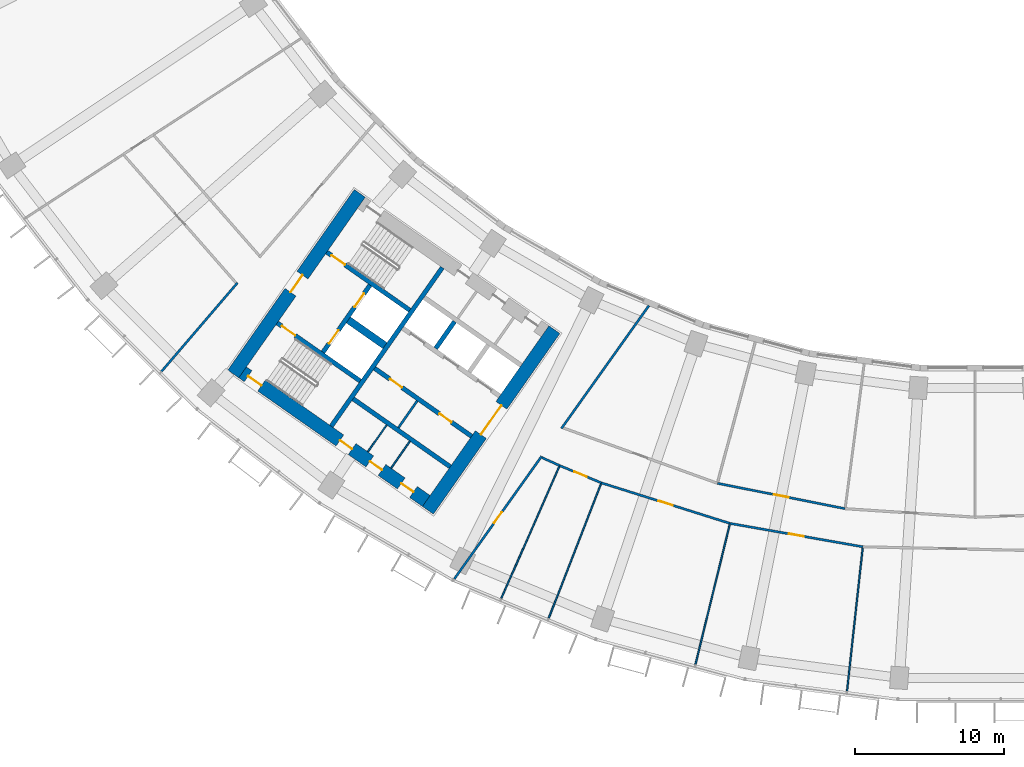
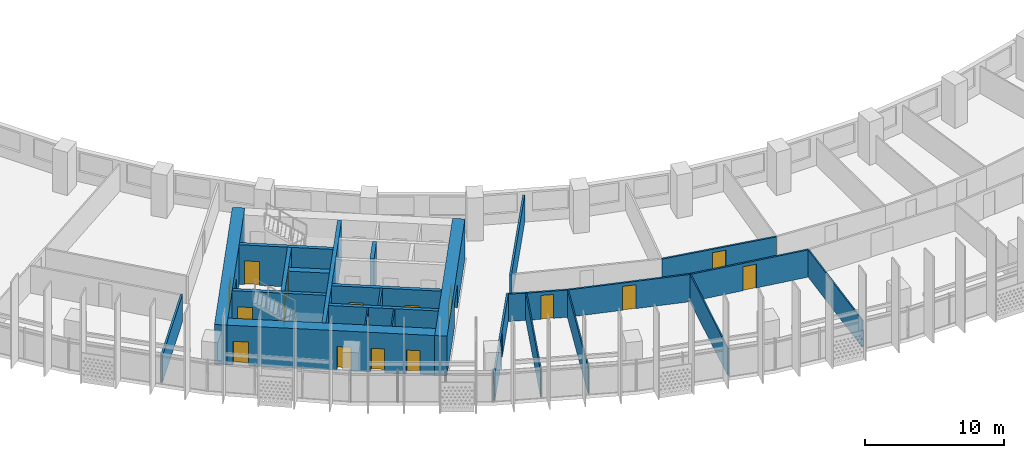
# One storey, part 3 of 30: 26 walls, 17 doors, 17 openings.
"""IFC4 building model written with IfcOpenShell, lengths in metres."""

from ifc_helpers import new_model, si_unit, direction, frame, frame_2d, origin, place, context, subcontext, project, spatial, rectangle, extrude, material, layer, layer_set, type_object, element, fill, save


model = new_model("IFC4")

# Units and contexts
model_context = context("Model", 3, precision=1e-05, world=origin(), true_north=direction((0.0, 1.0)))
body_context = subcontext(model_context, "Body", "Model", "MODEL_VIEW")
ifc_project = project(units=[si_unit("LENGTHUNIT", "METRE"), si_unit("AREAUNIT", "SQUARE_METRE"), si_unit("VOLUMEUNIT", "CUBIC_METRE"), si_unit("PLANEANGLEUNIT", "RADIAN"), si_unit("MASSUNIT", "GRAM", prefix="KILO")], contexts=[model_context])

# Site, building, storey
site_placement = place(None, origin())
site = spatial("IfcSite", under=ifc_project, at=site_placement, CompositionType="ELEMENT")
building_placement = place(site_placement, origin())
building = spatial("IfcBuilding", under=site, at=building_placement, Name="Qamariyya Broadcast Tower", CompositionType="ELEMENT")
storey_placement = place(building_placement, frame((0.0, 0.0, 117.699951171875)))
storey = spatial("IfcBuildingStorey", under=building, at=storey_placement, Name="L26", CompositionType="ELEMENT", Elevation=117.699951171875)

# Wall, opening, door
ifc_material_1 = material(Name="Concrete C70/85", Category="concrete")
ifc_layer_1 = layer(ifc_material_1, 0.89990234375)
ifc_layer_set_1 = layer_set([ifc_layer_1], Name="Core wall 900 mm Concrete C70/85")
wall_type_1 = type_object("IfcWallType", Name="Core wall 900 mm Concrete C70/85", PredefinedType="SHEAR", material=ifc_layer_set_1)
wall_1_placement = place(storey_placement, frame((-36.716796875, -66.3369140625, 0.0), z_axis=(0.0, 0.0, 1.0), x_axis=(0.573577477574, 0.819151315216, 0.0)))
wall_1 = element("IfcWall", 1, at=wall_1_placement, inside=storey, type_object=wall_type_1, Name="k-W-L26-WA", PredefinedType="SHEAR", context=body_context, shape_type="SweptSolid", body=[
    extrude(rectangle(XDim=14.800048828125, YDim=0.89990234375, at=frame_2d((7.39990234375, 0.0))), origin(), (0.0, 0.0, 1.0), 3.5),
])
opening_1_placement = place(wall_1_placement, frame((6.199951171875, 0.0, 0.0)))
opening_1 = element("IfcOpeningElement", 2, at=opening_1_placement, cuts=wall_1, Name="Opening KD3-W1", PredefinedType="OPENING", context=body_context, shape_type="SweptSolid", body=[
    extrude(rectangle(XDim=2.39990234375, YDim=2.10009765625, at=frame_2d((1.199951171875, 1.050048828125))), frame((0.0, 0.4599609375, 0.0), z_axis=(0.0, -1.0, 0.0), x_axis=(1.0, 0.0, 0.0)), (0.0, 0.0, 1.0), 0.919921875),
])
ifc_material_2 = material(Name="Steel fire-resisting door leaf", Category="steel")
door_type_1 = type_object("IfcDoorType", Name="Lift lobby door KD3", OperationType="DOUBLE_DOOR_SINGLE_SWING", PredefinedType="DOOR", material=ifc_material_2)
door_1_placement = place(opening_1_placement, origin())
door_1 = element("IfcDoor", 3, at=door_1_placement, inside=storey, type_object=door_type_1, Name="k-W-L26-WA-D1", OperationType="DOUBLE_DOOR_SINGLE_SWING", OverallHeight=2.10009765625, OverallWidth=2.39990234375, PredefinedType="DOOR", context=body_context, shape_type="SweptSolid", body=[
    extrude(rectangle(XDim=2.39990234375, YDim=2.10009765625, at=frame_2d((1.199951171875, 1.050048828125))), frame((0.0, 0.02490234375, 0.0), z_axis=(0.0, -1.0, 0.0), x_axis=(1.0, 0.0, 0.0)), (0.0, 0.0, 1.0), 0.050048828125),
])
fill(opening_1, door_1)

wall_2_placement = place(storey_placement, frame((-49.778564453125, -57.191162109375, 0.0), z_axis=(0.0, 0.0, 1.0), x_axis=(0.573577477574, 0.819151315216, 0.0)))
wall_2 = element("IfcWall", 4, at=wall_2_placement, inside=storey, type_object=wall_type_1, Name="k-W-L26-WH", PredefinedType="SHEAR", context=body_context, shape_type="SweptSolid", body=[
    extrude(rectangle(XDim=14.800048828125, YDim=0.89990234375, at=frame_2d((7.39990234375, 0.0))), origin(), (0.0, 0.0, 1.0), 3.5),
])
opening_2_placement = place(wall_2_placement, frame((6.699951171875, 0.0, 0.0)))
opening_2 = element("IfcOpeningElement", 5, at=opening_2_placement, cuts=wall_2, Name="Opening KD2-W1", PredefinedType="OPENING", context=body_context, shape_type="SweptSolid", body=[
    extrude(rectangle(XDim=1.39990234375, YDim=2.10009765625, at=frame_2d((0.699951171875, 1.050048828125))), frame((0.0, 0.4599609375, 0.0), z_axis=(0.0, -1.0, 0.0), x_axis=(1.0, 0.0, 0.0)), (0.0, 0.0, 1.0), 0.919921875),
])
door_type_2 = type_object("IfcDoorType", Name="Fire-fighting lobby door KD2", OperationType="DOUBLE_DOOR_SINGLE_SWING", PredefinedType="DOOR", material=ifc_material_2)
door_2_placement = place(opening_2_placement, origin())
door_2 = element("IfcDoor", 6, at=door_2_placement, inside=storey, type_object=door_type_2, Name="k-W-L26-WH-D15", OperationType="DOUBLE_DOOR_SINGLE_SWING", OverallHeight=2.10009765625, OverallWidth=1.39990234375, PredefinedType="DOOR", context=body_context, shape_type="SweptSolid", body=[
    extrude(rectangle(XDim=1.39990234375, YDim=2.10009765625, at=frame_2d((0.699951171875, 1.050048828125))), frame((0.0, 0.02490234375, 0.0), z_axis=(0.0, -1.0, 0.0), x_axis=(1.0, 0.0, 0.0)), (0.0, 0.0, 1.0), 0.050048828125),
])
fill(opening_2, door_2)

# Wall, openings, doors
wall_3_placement = place(storey_placement, frame((-36.827392578125, -65.710205078125, 0.0), z_axis=(0.0, 0.0, 1.0), x_axis=(-0.819153391756, 0.573574511963, 0.0)))
wall_3 = element("IfcWall", 7, at=wall_3_placement, inside=storey, type_object=wall_type_1, Name="k-W-L26-WO", PredefinedType="SHEAR", context=body_context, shape_type="SweptSolid", body=[
    extrude(rectangle(XDim=15.04541015625, YDim=0.89990234375, at=frame_2d((7.522705078125, 0.0))), origin(), (0.0, 0.0, 1.0), 3.5),
])
opening_3_placement = place(wall_3_placement, frame((1.050048828125, 0.0, 0.0)))
opening_3 = element("IfcOpeningElement", 8, at=opening_3_placement, cuts=wall_3, Name="Opening KD4-W2", PredefinedType="OPENING", context=body_context, shape_type="SweptSolid", body=[
    extrude(rectangle(XDim=1.0, YDim=2.10009765625, at=frame_2d((0.5, 1.050048828125))), frame((0.0, 0.4599609375, 0.0), z_axis=(0.0, -1.0, 0.0), x_axis=(1.0, 0.0, 0.0)), (0.0, 0.0, 1.0), 0.919921875),
])
opening_4_placement = place(wall_3_placement, frame((3.625, 0.0, 0.0)))
opening_4 = element("IfcOpeningElement", 9, at=opening_4_placement, cuts=wall_3, Name="Opening KD4-W3", PredefinedType="OPENING", context=body_context, shape_type="SweptSolid", body=[
    extrude(rectangle(XDim=1.0, YDim=2.10009765625, at=frame_2d((0.5, 1.050048828125))), frame((0.0, 0.4599609375, 0.0), z_axis=(0.0, -1.0, 0.0), x_axis=(1.0, 0.0, 0.0)), (0.0, 0.0, 1.0), 0.919921875),
])
opening_5_placement = place(wall_3_placement, frame((6.074951171875, 0.0, 0.0)))
opening_5 = element("IfcOpeningElement", 10, at=opening_5_placement, cuts=wall_3, Name="Opening KD6-W3", PredefinedType="OPENING", context=body_context, shape_type="SweptSolid", body=[
    extrude(rectangle(XDim=1.0, YDim=2.10009765625, at=frame_2d((0.5, 1.050048828125))), frame((0.0, 0.4599609375, 0.0), z_axis=(0.0, -1.0, 0.0), x_axis=(1.0, 0.0, 0.0)), (0.0, 0.0, 1.0), 0.919921875),
])
opening_6_placement = place(wall_3_placement, frame((13.495361328125, 0.0, 0.0)))
opening_6 = element("IfcOpeningElement", 11, at=opening_6_placement, cuts=wall_3, Name="Opening KD1-W3", PredefinedType="OPENING", context=body_context, shape_type="SweptSolid", body=[
    extrude(rectangle(XDim=1.10009765625, YDim=2.10009765625, at=frame_2d((0.550048828125, 1.050048828125))), frame((0.0, 0.4599609375, 0.0), z_axis=(0.0, -1.0, 0.0), x_axis=(1.0, 0.0, 0.0)), (0.0, 0.0, 1.0), 0.919921875),
])
door_type_3 = type_object("IfcDoorType", Name="Core room door KD6", OperationType="SINGLE_SWING_LEFT", PredefinedType="DOOR", material=ifc_material_2)
door_3_placement = place(opening_5_placement, origin())
door_3 = element("IfcDoor", 12, at=door_3_placement, inside=storey, type_object=door_type_3, Name="k-W-L26-WO-D12", OperationType="SINGLE_SWING_LEFT", OverallHeight=2.10009765625, OverallWidth=1.0, PredefinedType="DOOR", context=body_context, shape_type="SweptSolid", body=[
    extrude(rectangle(XDim=1.0, YDim=2.10009765625, at=frame_2d((0.5, 1.050048828125))), frame((0.0, 0.02490234375, 0.0), z_axis=(0.0, -1.0, 0.0), x_axis=(1.0, 0.0, 0.0)), (0.0, 0.0, 1.0), 0.050048828125),
])
fill(opening_5, door_3)
door_type_4 = type_object("IfcDoorType", Name="Riser and plant door KD4", OperationType="SINGLE_SWING_LEFT", PredefinedType="DOOR", material=ifc_material_2)
door_4_placement = place(opening_3_placement, origin())
door_4 = element("IfcDoor", 13, at=door_4_placement, inside=storey, type_object=door_type_4, Name="k-W-L26-WO-D10", OperationType="SINGLE_SWING_LEFT", OverallHeight=2.10009765625, OverallWidth=1.0, PredefinedType="DOOR", context=body_context, shape_type="SweptSolid", body=[
    extrude(rectangle(XDim=1.0, YDim=2.10009765625, at=frame_2d((0.5, 1.050048828125))), frame((0.0, 0.02490234375, 0.0), z_axis=(0.0, -1.0, 0.0), x_axis=(1.0, 0.0, 0.0)), (0.0, 0.0, 1.0), 0.050048828125),
])
fill(opening_3, door_4)
door_5_placement = place(opening_4_placement, origin())
door_5 = element("IfcDoor", 14, at=door_5_placement, inside=storey, type_object=door_type_4, Name="k-W-L26-WO-D11", OperationType="SINGLE_SWING_RIGHT", OverallHeight=2.10009765625, OverallWidth=1.0, PredefinedType="DOOR", context=body_context, shape_type="SweptSolid", body=[
    extrude(rectangle(XDim=1.0, YDim=2.10009765625, at=frame_2d((0.5, 1.050048828125))), frame((0.0, 0.02490234375, 0.0), z_axis=(0.0, -1.0, 0.0), x_axis=(1.0, 0.0, 0.0)), (0.0, 0.0, 1.0), 0.050048828125),
])
fill(opening_4, door_5)
door_type_5 = type_object("IfcDoorType", Name="Stair door KD1", OperationType="SINGLE_SWING_LEFT", PredefinedType="DOOR", material=ifc_material_2)
door_6_placement = place(opening_6_placement, origin())
door_6 = element("IfcDoor", 15, at=door_6_placement, inside=storey, type_object=door_type_5, Name="k-W-L26-WO-D18", OperationType="SINGLE_SWING_LEFT", OverallHeight=2.10009765625, OverallWidth=1.10009765625, PredefinedType="DOOR", context=body_context, shape_type="SweptSolid", body=[
    extrude(rectangle(XDim=1.10009765625, YDim=2.10009765625, at=frame_2d((0.550048828125, 1.050048828125))), frame((0.0, 0.02490234375, 0.0), z_axis=(0.0, -1.0, 0.0), x_axis=(1.0, 0.0, 0.0)), (0.0, 0.0, 1.0), 0.050048828125),
])
fill(opening_6, door_6)

# Wall
ifc_material_3 = material(Name="Gypsum board partition")
ifc_layer_2 = layer(ifc_material_3, 0.14990234375)
ifc_layer_set_2 = layer_set([ifc_layer_2], Name="Corridor partition 150 EI 60")
wall_type_2 = type_object("IfcWallType", Name="Corridor partition 150 EI 60", PredefinedType="PARTITIONING", material=ifc_layer_set_2)
wall_4_placement = place(storey_placement, frame((-49.498779296875, -51.074951171875, 0.0), z_axis=(0.0, 0.0, 1.0), x_axis=(-0.65099144956, -0.759085062823, 0.0)))
element("IfcWall", 16, at=wall_4_placement, inside=storey, type_object=wall_type_2, Name="Partition L26-005", PredefinedType="PARTITIONING", context=body_context, shape_type="SweptSolid", body=[
    extrude(rectangle(XDim=7.83740234375, YDim=0.14990234375, at=frame_2d((3.918701171875, 0.0))), origin(), (0.0, 0.0, 1.0), 2.400146484375),
])

# Wall, opening, door
wall_5_placement = place(storey_placement, frame((-29.083984375, -62.710205078125, 0.0), z_axis=(0.0, 0.0, 1.0), x_axis=(-0.580031092611, -0.814594335608, 0.0)))
wall_5 = element("IfcWall", 17, at=wall_5_placement, inside=storey, type_object=wall_type_2, Name="Partition L26-009", PredefinedType="PARTITIONING", context=body_context, shape_type="SweptSolid", body=[
    extrude(rectangle(XDim=10.126220703125, YDim=0.14990234375, at=frame_2d((5.06298828125, 0.0))), origin(), (0.0, 0.0, 1.0), 2.400146484375),
])
opening_7_placement = place(wall_5_placement, frame((4.61328125, 0.0, 0.0)))
opening_7 = element("IfcOpeningElement", 18, at=opening_7_placement, cuts=wall_5, Name="Opening L26-D01", PredefinedType="OPENING", context=body_context, shape_type="SweptSolid", body=[
    extrude(rectangle(XDim=0.89990234375, YDim=2.10009765625, at=frame_2d((0.449951171875, 1.050048828125))), frame((0.0, 0.0849609375, 0.0), z_axis=(0.0, -1.0, 0.0), x_axis=(1.0, 0.0, 0.0)), (0.0, 0.0, 1.0), 0.169921875),
])
ifc_material_4 = material(Name="Timber fire door leaf", Category="wood")
door_type_6 = type_object("IfcDoorType", Name="Fire door 900 x 2100 FD60", OperationType="NOTDEFINED", PredefinedType="DOOR", material=ifc_material_4)
door_7_placement = place(opening_7_placement, origin())
door_7 = element("IfcDoor", 19, at=door_7_placement, inside=storey, type_object=door_type_6, Name="Door L26-D01", OperationType="SINGLE_SWING_RIGHT", OverallHeight=2.10009765625, OverallWidth=0.89990234375, PredefinedType="DOOR", context=body_context, shape_type="SweptSolid", body=[
    extrude(rectangle(XDim=0.89990234375, YDim=2.10009765625, at=frame_2d((0.449951171875, 1.050048828125))), frame((0.0, 0.02490234375, 0.0), z_axis=(0.0, -1.0, 0.0), x_axis=(1.0, 0.0, 0.0)), (0.0, 0.0, 1.0), 0.050048828125),
])
fill(opening_7, door_7)

# Wall
wall_6_placement = place(storey_placement, frame((-29.05908203125, -62.802001953125, 0.0), z_axis=(0.0, 0.0, 1.0), x_axis=(0.911173247906, -0.412023436592, 0.0)))
element("IfcWall", 20, at=wall_6_placement, inside=storey, type_object=wall_type_2, Name="Partition L26-010", PredefinedType="PARTITIONING", context=body_context, shape_type="SweptSolid", body=[
    extrude(rectangle(XDim=1.302978515625, YDim=0.14990234375, at=frame_2d((0.6513671875, 0.0))), origin(), (0.0, 0.0, 1.0), 2.400146484375),
])

# Wall, opening, door
wall_7_placement = place(storey_placement, frame((-25.078857421875, -64.49560546875, 0.0), z_axis=(0.0, 0.0, 1.0), x_axis=(-0.923896753446, 0.382641854705, 0.0)))
wall_7 = element("IfcWall", 21, at=wall_7_placement, inside=storey, type_object=wall_type_2, Name="Partition L26-012", PredefinedType="PARTITIONING", context=body_context, shape_type="SweptSolid", body=[
    extrude(rectangle(XDim=3.02294921875, YDim=0.14990234375, at=frame_2d((1.511474609375, 0.0))), origin(), (0.0, 0.0, 1.0), 2.400146484375),
])
opening_8_placement = place(wall_7_placement, frame((1.0615234375, 0.0, 0.0)))
opening_8 = element("IfcOpeningElement", 22, at=opening_8_placement, cuts=wall_7, Name="Opening L26-D02", PredefinedType="OPENING", context=body_context, shape_type="SweptSolid", body=[
    extrude(rectangle(XDim=0.89990234375, YDim=2.10009765625, at=frame_2d((0.449951171875, 1.050048828125))), frame((0.0, 0.0849609375, 0.0), z_axis=(0.0, -1.0, 0.0), x_axis=(1.0, 0.0, 0.0)), (0.0, 0.0, 1.0), 0.169921875),
])
door_8_placement = place(opening_8_placement, origin())
door_8 = element("IfcDoor", 23, at=door_8_placement, inside=storey, type_object=door_type_6, Name="Door L26-D02", OperationType="SINGLE_SWING_RIGHT", OverallHeight=2.10009765625, OverallWidth=0.89990234375, PredefinedType="DOOR", context=body_context, shape_type="SweptSolid", body=[
    extrude(rectangle(XDim=0.89990234375, YDim=2.10009765625, at=frame_2d((0.449951171875, 1.050048828125))), frame((0.0, 0.02490234375, 0.0), z_axis=(0.0, -1.0, 0.0), x_axis=(1.0, 0.0, 0.0)), (0.0, 0.0, 1.0), 0.050048828125),
])
fill(opening_8, door_8)

wall_8_placement = place(storey_placement, frame((-16.446044921875, -67.21728515625, 0.0), z_axis=(0.0, 0.0, 1.0), x_axis=(-0.953724416281, 0.300682120834, 0.0)))
wall_8 = element("IfcWall", 24, at=wall_8_placement, inside=storey, type_object=wall_type_2, Name="Partition L26-014", PredefinedType="PARTITIONING", context=body_context, shape_type="SweptSolid", body=[
    extrude(rectangle(XDim=9.0517578125, YDim=0.14990234375, at=frame_2d((4.52587890625, 0.0))), origin(), (0.0, 0.0, 1.0), 2.400146484375),
])
opening_9_placement = place(wall_8_placement, frame((4.02587890625, 0.0, 0.0)))
opening_9 = element("IfcOpeningElement", 25, at=opening_9_placement, cuts=wall_8, Name="Opening L26-D03", PredefinedType="OPENING", context=body_context, shape_type="SweptSolid", body=[
    extrude(rectangle(XDim=1.0, YDim=2.10009765625, at=frame_2d((0.5, 1.050048828125))), frame((0.0, 0.0849609375, 0.0), z_axis=(0.0, -1.0, 0.0), x_axis=(1.0, 0.0, 0.0)), (0.0, 0.0, 1.0), 0.169921875),
])
door_type_7 = type_object("IfcDoorType", Name="Fire door 1000 x 2100 FD60", OperationType="NOTDEFINED", PredefinedType="DOOR", material=ifc_material_4)
door_9_placement = place(opening_9_placement, origin())
door_9 = element("IfcDoor", 26, at=door_9_placement, inside=storey, type_object=door_type_7, Name="Door L26-D03", OperationType="SINGLE_SWING_RIGHT", OverallHeight=2.10009765625, OverallWidth=1.0, PredefinedType="DOOR", context=body_context, shape_type="SweptSolid", body=[
    extrude(rectangle(XDim=1.0, YDim=2.10009765625, at=frame_2d((0.5, 1.050048828125))), frame((0.0, 0.02490234375, 0.0), z_axis=(0.0, -1.0, 0.0), x_axis=(1.0, 0.0, 0.0)), (0.0, 0.0, 1.0), 0.050048828125),
])
fill(opening_9, door_9)

# Wall
wall_9_placement = place(storey_placement, frame((-21.8837890625, -52.59765625, 0.0), z_axis=(0.0, 0.0, 1.0), x_axis=(-0.580016763963, -0.814604538118, 0.0)))
element("IfcWall", 27, at=wall_9_placement, inside=storey, type_object=wall_type_2, Name="Partition L26-015", PredefinedType="PARTITIONING", context=body_context, shape_type="SweptSolid", body=[
    extrude(rectangle(XDim=10.12109375, YDim=0.14990234375, at=frame_2d((5.060546875, 0.0))), origin(), (0.0, 0.0, 1.0), 2.400146484375),
])

# Wall, opening, door
wall_10_placement = place(storey_placement, frame((-17.2890625, -64.52392578125, 0.0), z_axis=(0.0, 0.0, 1.0), x_axis=(0.980786466832, -0.195084357342, 0.0)))
wall_10 = element("IfcWall", 28, at=wall_10_placement, inside=storey, type_object=wall_type_2, Name="Partition L26-017", PredefinedType="PARTITIONING", context=body_context, shape_type="SweptSolid", body=[
    extrude(rectangle(XDim=8.73779296875, YDim=0.14990234375, at=frame_2d((4.368896484375, 0.0))), origin(), (0.0, 0.0, 1.0), 2.400146484375),
])
opening_10_placement = place(wall_10_placement, frame((3.868896484375, 0.0, 0.0)))
opening_10 = element("IfcOpeningElement", 29, at=opening_10_placement, cuts=wall_10, Name="Opening L26-D10", PredefinedType="OPENING", context=body_context, shape_type="SweptSolid", body=[
    extrude(rectangle(XDim=1.0, YDim=2.10009765625, at=frame_2d((0.5, 1.050048828125))), frame((0.0, 0.0849609375, 0.0), z_axis=(0.0, -1.0, 0.0), x_axis=(1.0, 0.0, 0.0)), (0.0, 0.0, 1.0), 0.169921875),
])
door_10_placement = place(opening_10_placement, origin())
door_10 = element("IfcDoor", 30, at=door_10_placement, inside=storey, type_object=door_type_7, Name="Door L26-D10", OperationType="SINGLE_SWING_RIGHT", OverallHeight=2.10009765625, OverallWidth=1.0, PredefinedType="DOOR", context=body_context, shape_type="SweptSolid", body=[
    extrude(rectangle(XDim=1.0, YDim=2.10009765625, at=frame_2d((0.5, 1.050048828125))), frame((0.0, 0.02490234375, 0.0), z_axis=(0.0, -1.0, 0.0), x_axis=(1.0, 0.0, 0.0)), (0.0, 0.0, 1.0), 0.050048828125),
])
fill(opening_10, door_10)

wall_11_placement = place(storey_placement, frame((-7.53173828125, -68.788818359375, 0.0), z_axis=(0.0, 0.0, 1.0), x_axis=(-0.984813412134, 0.173616080133, 0.0)))
wall_11 = element("IfcWall", 31, at=wall_11_placement, inside=storey, type_object=wall_type_2, Name="Partition L26-018", PredefinedType="PARTITIONING", context=body_context, shape_type="SweptSolid", body=[
    extrude(rectangle(XDim=9.0517578125, YDim=0.14990234375, at=frame_2d((4.52587890625, 0.0))), origin(), (0.0, 0.0, 1.0), 2.400146484375),
])
opening_11_placement = place(wall_11_placement, frame((4.02587890625, 0.0, 0.0)))
opening_11 = element("IfcOpeningElement", 32, at=opening_11_placement, cuts=wall_11, Name="Opening L26-D04", PredefinedType="OPENING", context=body_context, shape_type="SweptSolid", body=[
    extrude(rectangle(XDim=1.0, YDim=2.10009765625, at=frame_2d((0.5, 1.050048828125))), frame((0.0, 0.0849609375, 0.0), z_axis=(0.0, -1.0, 0.0), x_axis=(1.0, 0.0, 0.0)), (0.0, 0.0, 1.0), 0.169921875),
])
door_11_placement = place(opening_11_placement, origin())
door_11 = element("IfcDoor", 33, at=door_11_placement, inside=storey, type_object=door_type_7, Name="Door L26-D04", OperationType="SINGLE_SWING_RIGHT", OverallHeight=2.10009765625, OverallWidth=1.0, PredefinedType="DOOR", context=body_context, shape_type="SweptSolid", body=[
    extrude(rectangle(XDim=1.0, YDim=2.10009765625, at=frame_2d((0.5, 1.050048828125))), frame((0.0, 0.02490234375, 0.0), z_axis=(0.0, -1.0, 0.0), x_axis=(1.0, 0.0, 0.0)), (0.0, 0.0, 1.0), 0.050048828125),
])
fill(opening_11, door_11)

# Walls
ifc_material_5 = material(Name="Concrete C60/75", Category="concrete")
ifc_layer_3 = layer(ifc_material_5, 0.5)
ifc_layer_set_3 = layer_set([ifc_layer_3], Name="Fire-fighting lobby divider wall 500 mm Concrete C60/75")
wall_type_3 = type_object("IfcWallType", Name="Fire-fighting lobby divider wall 500 mm Concrete C60/75", PredefinedType="SOLIDWALL", material=ifc_layer_set_3)
wall_12_placement = place(storey_placement, frame((-39.59912109375, -55.28515625, 0.0), z_axis=(0.0, 0.0, 1.0), x_axis=(-0.819136323161, 0.573598887793, 0.0)))
element("IfcWall", 34, at=wall_12_placement, inside=storey, type_object=wall_type_3, Name="k-W-L26-FD", PredefinedType="SOLIDWALL", context=body_context, shape_type="SweptSolid", body=[
    extrude(rectangle(XDim=2.999755859375, YDim=0.5, at=frame_2d((1.5, 0.0))), origin(), (0.0, 0.0, 1.0), 3.5),
])
ifc_material_6 = material(Name="Gypsum board partition on steel studs", Category="steel")
ifc_layer_4 = layer(ifc_material_6, 0.14990234375)
ifc_layer_set_4 = layer_set([ifc_layer_4], Name="Gypsum board partition 150 mm")
wall_type_4 = type_object("IfcWallType", Name="Gypsum board partition 150 mm", PredefinedType="PARTITIONING", material=ifc_layer_set_4)
wall_13_placement = place(storey_placement, frame((-37.436767578125, -58.99658203125, 0.0), z_axis=(0.0, 0.0, 1.0), x_axis=(-0.573559170999, -0.819164133348, 0.0)))
element("IfcWall", 35, at=wall_13_placement, inside=storey, type_object=wall_type_4, Name="k-W-L26-SC435", PredefinedType="PARTITIONING", context=body_context, shape_type="SweptSolid", body=[
    extrude(rectangle(XDim=2.19970703125, YDim=0.14990234375, at=frame_2d((1.099853515625, 0.0))), origin(), (0.0, 0.0, 1.0), 3.5),
])
ifc_layer_5 = layer(ifc_material_5, 0.300048828125)
ifc_layer_set_5 = layer_set([ifc_layer_5], Name="Lift shaft wall 300 mm Concrete C60/75")
wall_type_5 = type_object("IfcWallType", Name="Lift shaft wall 300 mm Concrete C60/75", PredefinedType="SOLIDWALL", material=ifc_layer_set_5)
wall_14_placement = place(storey_placement, frame((-43.204345703125, -60.69580078125, 0.0), z_axis=(0.0, 0.0, 1.0), x_axis=(0.573571992966, 0.819155155563, 0.0)))
element("IfcWall", 36, at=wall_14_placement, inside=storey, type_object=wall_type_5, Name="k-W-L26-WL", PredefinedType="SOLIDWALL", context=body_context, shape_type="SweptSolid", body=[
    extrude(rectangle(XDim=13.000244140625, YDim=0.300048828125, at=frame_2d((6.5, 0.0))), origin(), (0.0, 0.0, 1.0), 3.5),
])
wall_15_placement = place(storey_placement, frame((-36.19091796875, -55.47412109375, 0.0), z_axis=(0.0, 0.0, 1.0), x_axis=(0.573507030513, 0.819200638399, 0.0)))
element("IfcWall", 37, at=wall_15_placement, inside=storey, type_object=wall_type_5, Name="k-W-L26-ND1", PredefinedType="SOLIDWALL", context=body_context, shape_type="SweptSolid", body=[
    extrude(rectangle(XDim=2.199951171875, YDim=0.300048828125, at=frame_2d((1.10009765625, 0.0))), origin(), (0.0, 0.0, 1.0), 3.5),
])

# Wall, openings, doors
wall_16_placement = place(storey_placement, frame((-33.787353515625, -61.368896484375, 0.0), z_axis=(0.0, 0.0, 1.0), x_axis=(-0.819152564888, 0.573575692858, 0.0)))
wall_16 = element("IfcWall", 38, at=wall_16_placement, inside=storey, type_object=wall_type_5, Name="k-W-L26-SF0", PredefinedType="SOLIDWALL", context=body_context, shape_type="SweptSolid", body=[
    extrude(rectangle(XDim=7.9501953125, YDim=0.300048828125, at=frame_2d((3.97509765625, 0.0))), origin(), (0.0, 0.0, 1.0), 3.5),
])
opening_12_placement = place(wall_16_placement, frame((1.637451171875, 0.0, 0.0)))
opening_12 = element("IfcOpeningElement", 39, at=opening_12_placement, cuts=wall_16, Name="Opening KD4-W1", PredefinedType="OPENING", context=body_context, shape_type="SweptSolid", body=[
    extrude(rectangle(XDim=1.0, YDim=2.10009765625, at=frame_2d((0.5, 1.050048828125))), frame((0.0, 0.159912109375, 0.0), z_axis=(0.0, -1.0, 0.0), x_axis=(1.0, 0.0, 0.0)), (0.0, 0.0, 1.0), 0.320068359375),
])
opening_13_placement = place(wall_16_placement, frame((5.6875, 0.0, 0.0)))
opening_13 = element("IfcOpeningElement", 40, at=opening_13_placement, cuts=wall_16, Name="Opening KD6-W1", PredefinedType="OPENING", context=body_context, shape_type="SweptSolid", body=[
    extrude(rectangle(XDim=1.0, YDim=2.10009765625, at=frame_2d((0.5, 1.050048828125))), frame((0.0, 0.159912109375, 0.0), z_axis=(0.0, -1.0, 0.0), x_axis=(1.0, 0.0, 0.0)), (0.0, 0.0, 1.0), 0.320068359375),
])
door_12_placement = place(opening_13_placement, origin())
door_12 = element("IfcDoor", 41, at=door_12_placement, inside=storey, type_object=door_type_3, Name="k-W-L26-SF0-D6", OperationType="SINGLE_SWING_LEFT", OverallHeight=2.10009765625, OverallWidth=1.0, PredefinedType="DOOR", context=body_context, shape_type="SweptSolid", body=[
    extrude(rectangle(XDim=1.0, YDim=2.10009765625, at=frame_2d((0.5, 1.050048828125))), frame((0.0, 0.02490234375, 0.0), z_axis=(0.0, -1.0, 0.0), x_axis=(1.0, 0.0, 0.0)), (0.0, 0.0, 1.0), 0.050048828125),
])
fill(opening_13, door_12)
door_13_placement = place(opening_12_placement, origin())
door_13 = element("IfcDoor", 42, at=door_13_placement, inside=storey, type_object=door_type_4, Name="k-W-L26-SF0-D5", OperationType="SINGLE_SWING_RIGHT", OverallHeight=2.10009765625, OverallWidth=1.0, PredefinedType="DOOR", context=body_context, shape_type="SweptSolid", body=[
    extrude(rectangle(XDim=1.0, YDim=2.10009765625, at=frame_2d((0.5, 1.050048828125))), frame((0.0, 0.02490234375, 0.0), z_axis=(0.0, -1.0, 0.0), x_axis=(1.0, 0.0, 0.0)), (0.0, 0.0, 1.0), 0.050048828125),
])
fill(opening_12, door_13)

# Wall
wall_17_placement = place(storey_placement, frame((-35.22119140625, -63.41650390625, 0.0), z_axis=(0.0, 0.0, 1.0), x_axis=(-0.819166993208, 0.573555086491, 0.0)))
element("IfcWall", 43, at=wall_17_placement, inside=storey, type_object=wall_type_5, Name="k-W-L26-SB0", PredefinedType="SOLIDWALL", context=body_context, shape_type="SweptSolid", body=[
    extrude(rectangle(XDim=7.9501953125, YDim=0.300048828125, at=frame_2d((3.97509765625, 0.0))), origin(), (0.0, 0.0, 1.0), 3.5),
])

# Wall, opening, door
wall_18_placement = place(storey_placement, frame((-37.935546875, -52.90966796875, 0.0), z_axis=(0.0, 0.0, 1.0), x_axis=(-0.819147518138, 0.57358290031, 0.0)))
wall_18 = element("IfcWall", 44, at=wall_18_placement, inside=storey, type_object=wall_type_5, Name="k-W-L26-NW", PredefinedType="SOLIDWALL", context=body_context, shape_type="SweptSolid", body=[
    extrude(rectangle(XDim=6.79541015625, YDim=0.300048828125, at=frame_2d((3.397705078125, 0.0))), origin(), (0.0, 0.0, 1.0), 3.5),
])
opening_14_placement = place(wall_18_placement, frame((5.3203125, 0.0, 0.0)))
opening_14 = element("IfcOpeningElement", 45, at=opening_14_placement, cuts=wall_18, Name="Opening KD1-W2", PredefinedType="OPENING", context=body_context, shape_type="SweptSolid", body=[
    extrude(rectangle(XDim=1.10009765625, YDim=2.10009765625, at=frame_2d((0.550048828125, 1.050048828125))), frame((0.0, 0.159912109375, 0.0), z_axis=(0.0, -1.0, 0.0), x_axis=(1.0, 0.0, 0.0)), (0.0, 0.0, 1.0), 0.320068359375),
])
door_14_placement = place(opening_14_placement, origin())
door_14 = element("IfcDoor", 46, at=door_14_placement, inside=storey, type_object=door_type_5, Name="k-W-L26-NW-D17", OperationType="SINGLE_SWING_RIGHT", OverallHeight=2.10009765625, OverallWidth=1.10009765625, PredefinedType="DOOR", context=body_context, shape_type="SweptSolid", body=[
    extrude(rectangle(XDim=1.10009765625, YDim=2.10009765625, at=frame_2d((0.550048828125, 1.050048828125))), frame((0.0, 0.02490234375, 0.0), z_axis=(0.0, -1.0, 0.0), x_axis=(1.0, 0.0, 0.0)), (0.0, 0.0, 1.0), 0.050048828125),
])
fill(opening_14, door_14)

wall_19_placement = place(storey_placement, frame((-41.262451171875, -57.66064453125, 0.0), z_axis=(0.0, 0.0, 1.0), x_axis=(-0.819164398642, 0.573558792102, 0.0)))
wall_19 = element("IfcWall", 47, at=wall_19_placement, inside=storey, type_object=wall_type_5, Name="k-W-L26-SW", PredefinedType="SOLIDWALL", context=body_context, shape_type="SweptSolid", body=[
    extrude(rectangle(XDim=6.795166015625, YDim=0.300048828125, at=frame_2d((3.3974609375, 0.0))), origin(), (0.0, 0.0, 1.0), 3.5),
])
opening_15_placement = place(wall_19_placement, frame((5.3203125, 0.0, 0.0)))
opening_15 = element("IfcOpeningElement", 48, at=opening_15_placement, cuts=wall_19, Name="Opening KD1-W4", PredefinedType="OPENING", context=body_context, shape_type="SweptSolid", body=[
    extrude(rectangle(XDim=1.10009765625, YDim=2.10009765625, at=frame_2d((0.550048828125, 1.050048828125))), frame((0.0, 0.159912109375, 0.0), z_axis=(0.0, -1.0, 0.0), x_axis=(1.0, 0.0, 0.0)), (0.0, 0.0, 1.0), 0.320068359375),
])
door_15_placement = place(opening_15_placement, origin())
door_15 = element("IfcDoor", 49, at=door_15_placement, inside=storey, type_object=door_type_5, Name="k-W-L26-SW-D19", OperationType="SINGLE_SWING_RIGHT", OverallHeight=2.10009765625, OverallWidth=1.10009765625, PredefinedType="DOOR", context=body_context, shape_type="SweptSolid", body=[
    extrude(rectangle(XDim=1.10009765625, YDim=2.10009765625, at=frame_2d((0.550048828125, 1.050048828125))), frame((0.0, 0.02490234375, 0.0), z_axis=(0.0, -1.0, 0.0), x_axis=(1.0, 0.0, 0.0)), (0.0, 0.0, 1.0), 0.050048828125),
])
fill(opening_15, door_15)

# Wall, openings, doors
wall_20_placement = place(storey_placement, frame((-43.756591796875, -55.731201171875, 0.0), z_axis=(0.0, 0.0, 1.0), x_axis=(0.573536818435, 0.819179783625, 0.0)))
wall_20 = element("IfcWall", 50, at=wall_20_placement, inside=storey, type_object=wall_type_5, Name="k-W-L26-FF", PredefinedType="SOLIDWALL", context=body_context, shape_type="SweptSolid", body=[
    extrude(rectangle(XDim=5.500244140625, YDim=0.300048828125, at=frame_2d((2.75, 0.0))), origin(), (0.0, 0.0, 1.0), 3.5),
])
opening_16_placement = place(wall_20_placement, frame((0.699951171875, 0.0, 0.0)))
opening_16 = element("IfcOpeningElement", 51, at=opening_16_placement, cuts=wall_20, Name="Opening LD", PredefinedType="OPENING", context=body_context, shape_type="SweptSolid", body=[
    extrude(rectangle(XDim=1.10009765625, YDim=2.10009765625, at=frame_2d((0.550048828125, 1.050048828125))), frame((0.0, 0.159912109375, 0.0), z_axis=(0.0, -1.0, 0.0), x_axis=(1.0, 0.0, 0.0)), (0.0, 0.0, 1.0), 0.320068359375),
])
opening_17_placement = place(wall_20_placement, frame((3.699951171875, 0.0, 0.0)))
opening_17 = element("IfcOpeningElement", 52, at=opening_17_placement, cuts=wall_20, Name="Opening LD", PredefinedType="OPENING", context=body_context, shape_type="SweptSolid", body=[
    extrude(rectangle(XDim=1.10009765625, YDim=2.10009765625, at=frame_2d((0.550048828125, 1.050048828125))), frame((0.0, 0.159912109375, 0.0), z_axis=(0.0, -1.0, 0.0), x_axis=(1.0, 0.0, 0.0)), (0.0, 0.0, 1.0), 0.320068359375),
])
door_type_8 = type_object("IfcDoorType", Name="Lift landing door LD", OperationType="DOUBLE_DOOR_SLIDING", PredefinedType="DOOR", material=ifc_material_2)
door_16_placement = place(opening_16_placement, origin())
door_16 = element("IfcDoor", 53, at=door_16_placement, inside=storey, type_object=door_type_8, Name="k-W-L26-FF-D13", OperationType="DOUBLE_DOOR_SLIDING", OverallHeight=2.10009765625, OverallWidth=1.10009765625, PredefinedType="DOOR", context=body_context, shape_type="SweptSolid", body=[
    extrude(rectangle(XDim=1.10009765625, YDim=2.10009765625, at=frame_2d((0.550048828125, 1.050048828125))), frame((0.0, 0.02490234375, 0.0), z_axis=(0.0, -1.0, 0.0), x_axis=(1.0, 0.0, 0.0)), (0.0, 0.0, 1.0), 0.050048828125),
])
fill(opening_16, door_16)
door_17_placement = place(opening_17_placement, origin())
door_17 = element("IfcDoor", 54, at=door_17_placement, inside=storey, type_object=door_type_8, Name="k-W-L26-FF-D14", OperationType="DOUBLE_DOOR_SLIDING", OverallHeight=2.10009765625, OverallWidth=1.10009765625, PredefinedType="DOOR", context=body_context, shape_type="SweptSolid", body=[
    extrude(rectangle(XDim=1.10009765625, YDim=2.10009765625, at=frame_2d((0.550048828125, 1.050048828125))), frame((0.0, 0.02490234375, 0.0), z_axis=(0.0, -1.0, 0.0), x_axis=(1.0, 0.0, 0.0)), (0.0, 0.0, 1.0), 0.050048828125),
])
fill(opening_17, door_17)

# Walls
ifc_layer_6 = layer(ifc_material_3, 0.10009765625)
ifc_layer_set_6 = layer_set([ifc_layer_6], Name="Partition 100")
wall_type_6 = type_object("IfcWallType", Name="Partition 100", PredefinedType="PARTITIONING", material=ifc_layer_set_6)
wall_21_placement = place(storey_placement, frame((-31.798583984375, -72.26220703125, 0.0), z_axis=(0.0, 0.0, 1.0), x_axis=(0.402773288685, 0.915299774894, 0.0)))
element("IfcWall", 55, at=wall_21_placement, inside=storey, type_object=wall_type_6, Name="Partition L26-008", PredefinedType="PARTITIONING", context=body_context, shape_type="SweptSolid", body=[
    extrude(rectangle(XDim=9.674072265625, YDim=0.10009765625, at=frame_2d((4.8369140625, 0.0))), origin(), (0.0, 0.0, 1.0), 2.400146484375),
])
wall_22_placement = place(storey_placement, frame((-28.612060546875, -73.58203125, 0.0), z_axis=(0.0, 0.0, 1.0), x_axis=(0.362392675792, 0.93202550852, 0.0)))
element("IfcWall", 56, at=wall_22_placement, inside=storey, type_object=wall_type_6, Name="Partition L26-011", PredefinedType="PARTITIONING", context=body_context, shape_type="SweptSolid", body=[
    extrude(rectangle(XDim=9.67431640625, YDim=0.10009765625, at=frame_2d((4.837158203125, 0.0))), origin(), (0.0, 0.0, 1.0), 2.400146484375),
])
for number, where, z_axis, x_axis, name in (
    (57, (-18.762939453125, -76.68701171875, 0.0), (0.0, 0.0, 1.0), (0.237657357205, 0.971349051869, 0.0), "Partition L26-016"),
    (58, (-8.5927734375, -78.47998046875, 0.0), (0.0, 0.0, 1.0), (0.10884699726, 0.994058514972, 0.0), "Partition L26-021"),
):
    element("IfcWall", number, at=place(storey_placement, frame(where, z_axis=z_axis, x_axis=x_axis)), inside=storey, type_object=wall_type_6, Name=name, PredefinedType="PARTITIONING", context=body_context, shape_type="SweptSolid", body=[
        extrude(rectangle(XDim=9.673828125, YDim=0.10009765625, at=frame_2d((4.8369140625, 0.0))), origin(), (0.0, 0.0, 1.0), 2.400146484375),
    ])
ifc_material_7 = material(Name="Fire-rated gypsum shaft liner on steel studs", Category="steel")
ifc_layer_7 = layer(ifc_material_7, 0.10009765625)
ifc_layer_set_7 = layer_set([ifc_layer_7], Name="Riser wall 100 mm")
wall_type_7 = type_object("IfcWallType", Name="Riser wall 100 mm", PredefinedType="PLUMBINGWALL", material=ifc_layer_set_7)
wall_23_placement = place(storey_placement, frame((-37.9287109375, -61.7041015625, 0.0), z_axis=(0.0, 0.0, 1.0), x_axis=(-0.573559170999, -0.819164133348, 0.0)))
element("IfcWall", 59, at=wall_23_placement, inside=storey, type_object=wall_type_7, Name="k-W-L26-SP320", PredefinedType="PLUMBINGWALL", context=body_context, shape_type="SweptSolid", body=[
    extrude(rectangle(XDim=2.19970703125, YDim=0.10009765625, at=frame_2d((1.099853515625, 0.0))), origin(), (0.0, 0.0, 1.0), 3.5),
])
wall_24_placement = place(storey_placement, frame((-39.485107421875, -60.6142578125, 0.0), z_axis=(0.0, 0.0, 1.0), x_axis=(-0.573507030513, -0.819200638399, 0.0)))
element("IfcWall", 60, at=wall_24_placement, inside=storey, type_object=wall_type_7, Name="k-W-L26-SP510", PredefinedType="PLUMBINGWALL", context=body_context, shape_type="SweptSolid", body=[
    extrude(rectangle(XDim=2.199951171875, YDim=0.10009765625, at=frame_2d((1.10009765625, 0.0))), origin(), (0.0, 0.0, 1.0), 3.5),
])

save(model, "model.ifc")
